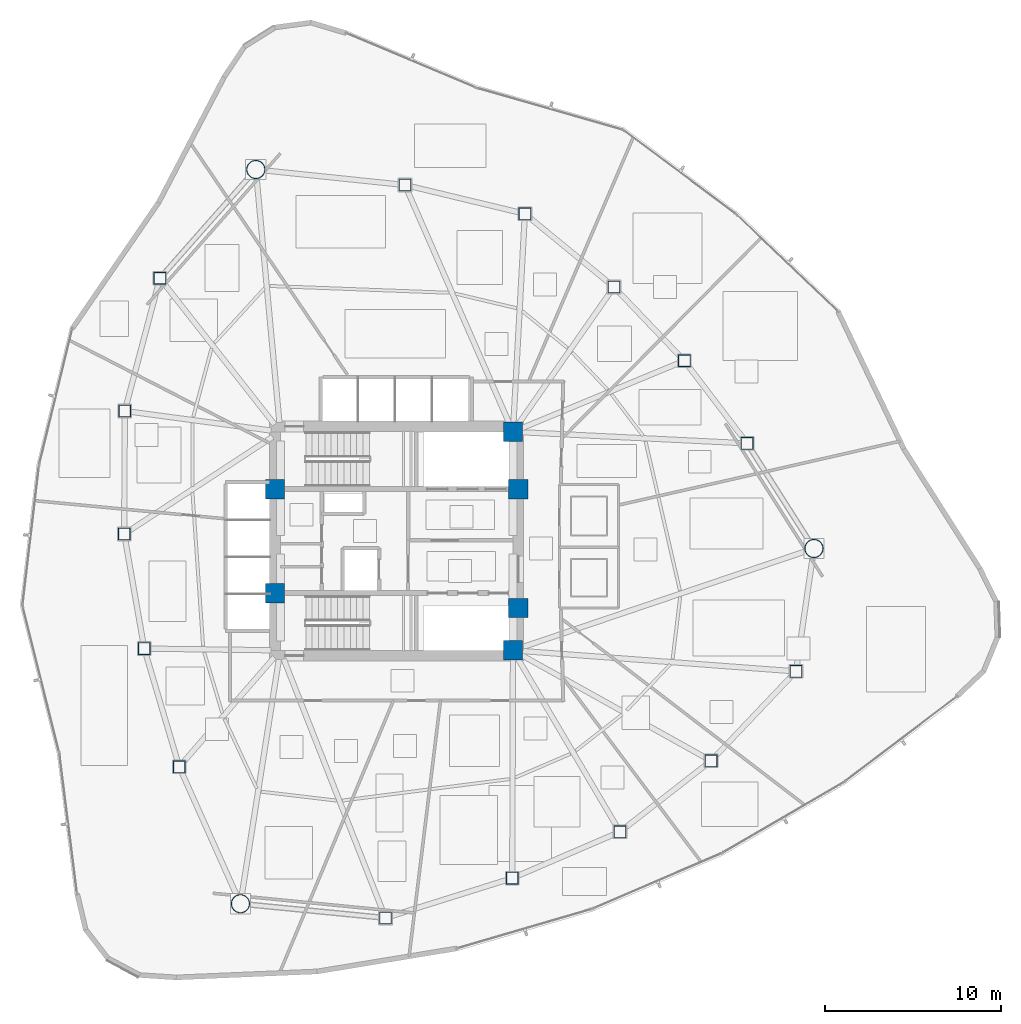
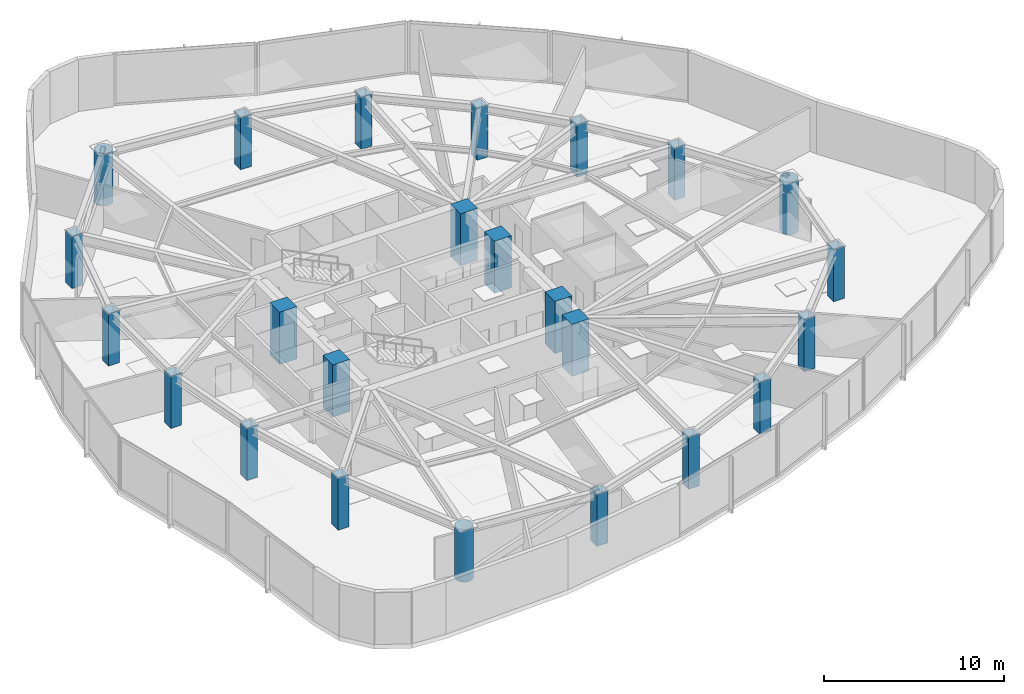
# One storey, part 1 of 17: 24 columns.
"""IFC4 building model written with IfcOpenShell, lengths in metres."""

from ifc_helpers import new_model, si_unit, direction, frame, origin, origin_2d, place, context, subcontext, project, spatial, rectangle, hollow_rectangle, hollow_circle, extrude, material, material_profile, profile_set, type_object, element, save


model = new_model("IFC4")

# Units and contexts
model_context = context("Model", 3, precision=1e-05, world=origin(), true_north=direction((0.0, 1.0)))
body_context = subcontext(model_context, "Body", "Model", "MODEL_VIEW")
ifc_project = project(units=[si_unit("LENGTHUNIT", "METRE"), si_unit("AREAUNIT", "SQUARE_METRE"), si_unit("VOLUMEUNIT", "CUBIC_METRE"), si_unit("PLANEANGLEUNIT", "RADIAN"), si_unit("MASSUNIT", "GRAM", prefix="KILO")], contexts=[model_context])

# Site, building, storey
site_placement = place(None, origin())
site = spatial("IfcSite", under=ifc_project, at=site_placement, CompositionType="ELEMENT")
building_placement = place(site_placement, origin())
building = spatial("IfcBuilding", under=site, at=building_placement, Name="Tavelor Broadcast Tower", CompositionType="ELEMENT")
storey_placement = place(building_placement, frame((0.0, 0.0, 115.60009765625)))
storey = spatial("IfcBuildingStorey", under=building, at=storey_placement, Name="L26", CompositionType="ELEMENT", Elevation=115.60009765625)

# Columns
ifc_material_1 = material(Name="Concrete C60/75", Category="concrete")
ifc_material_profile_1 = material_profile(ifc_material_1, rectangle(XDim=1.10009765625, YDim=1.10009765625, at=origin_2d()), Name="RC 1100x1100")
ifc_profile_set_1 = profile_set([ifc_material_profile_1], Name="Concrete C60/75")
column_type_1 = type_object("IfcColumnType", Name="Core Embedded Composite Column RC1100", PredefinedType="COLUMN", material=ifc_profile_set_1)
for number, where, z_axis, x_axis, name in (
    (1, (43.10009765625, 47.949951171875, 0.0), (0.0, 0.0, 1.0), (1.0, 0.0, 0.0), "L26 Core Embedded Column 1"),
    (2, (56.89990234375, 47.949951171875, 0.0), (0.0, 0.0, 1.0), (1.0, 0.0, 0.0), "L26 Core Embedded Column 2"),
    (3, (56.60009765625, 51.199951171875, 0.0), (0.0, 0.0, 1.0), (1.0, 0.0, 0.0), "L26 Core Embedded Column 3"),
    (4, (43.10009765625, 42.050048828125, 0.0), (0.0, 0.0, 1.0), (1.0, 0.0, 0.0), "L26 Core Embedded Column 4"),
    (5, (56.89990234375, 41.199951171875, 0.0), (0.0, 0.0, 1.0), (1.0, 0.0, 0.0), "L26 Core Embedded Column 5"),
    (6, (56.60009765625, 38.800048828125, 0.0), (0.0, 0.0, 1.0), (1.0, 0.0, 0.0), "L26 Core Embedded Column 6"),
):
    element("IfcColumn", number, at=place(storey_placement, frame(where, z_axis=z_axis, x_axis=x_axis)), inside=storey, type_object=column_type_1, Name=name, PredefinedType="COLUMN", context=body_context, shape_type="SweptSolid", body=[
        extrude(rectangle(XDim=1.10009765625, YDim=1.10009765625, at=origin_2d()), origin(), (0.0, 0.0, 1.0), 3.5498046875),
    ])
ifc_material_2 = material(Name="Steel S460", Category="steel")
ifc_material_profile_2 = material_profile(ifc_material_2, hollow_rectangle(XDim=0.699951171875, YDim=0.699951171875, WallThickness=0.0400390625, at=origin_2d()), Name="SHS 700x700x40")
ifc_profile_set_2 = profile_set([ifc_material_profile_2], Name="Steel S460")
column_type_2 = type_object("IfcColumnType", Name="Perimeter Tube Column T3 SHS 700x700x40", PredefinedType="COLUMN", material=ifc_profile_set_2)
for number, where, z_axis, x_axis, name in (
    (7, (36.567626953125, 59.91064453125, 0.0), (0.0, 0.0, 1.0), (1.0, 0.0, 0.0), "L26 Perimeter Framed-Tube Column 02"),
    (8, (34.5751953125, 52.37939453125, 0.0), (0.0, 0.0, 1.0), (1.0, 0.0, 0.0), "L26 Perimeter Framed-Tube Column 03"),
    (9, (34.54638671875, 45.399169921875, 0.0), (0.0, 0.0, 1.0), (1.0, 0.0, 0.0), "L26 Perimeter Framed-Tube Column 04"),
    (10, (35.680908203125, 38.89990234375, 0.0), (0.0, 0.0, 1.0), (1.0, 0.0, 0.0), "L26 Perimeter Framed-Tube Column 05"),
    (11, (37.668212890625, 32.1904296875, 0.0), (0.0, 0.0, 1.0), (1.0, 0.0, 0.0), "L26 Perimeter Framed-Tube Column 06"),
    (12, (49.366455078125, 23.618896484375, 0.0), (0.0, 0.0, 1.0), (1.0, 0.0, 0.0), "L26 Perimeter Framed-Tube Column 08"),
    (13, (56.56103515625, 25.872802734375, 0.0), (0.0, 0.0, 1.0), (1.0, 0.0, 0.0), "L26 Perimeter Framed-Tube Column 09"),
    (14, (62.669189453125, 28.503173828125, 0.0), (0.0, 0.0, 1.0), (1.0, 0.0, 0.0), "L26 Perimeter Framed-Tube Column 10"),
    (15, (67.84228515625, 32.53173828125, 0.0), (0.0, 0.0, 1.0), (1.0, 0.0, 0.0), "L26 Perimeter Framed-Tube Column 11"),
    (16, (72.6591796875, 37.607421875, 0.0), (0.0, 0.0, 1.0), (1.0, 0.0, 0.0), "L26 Perimeter Framed-Tube Column 12"),
    (17, (69.885986328125, 50.544189453125, 0.0), (0.0, 0.0, 1.0), (1.0, 0.0, 0.0), "L26 Perimeter Framed-Tube Column 14"),
    (18, (66.322021484375, 55.228759765625, 0.0), (0.0, 0.0, 1.0), (1.0, 0.0, 0.0), "L26 Perimeter Framed-Tube Column 15"),
    (19, (62.330810546875, 59.416259765625, 0.0), (0.0, 0.0, 1.0), (1.0, 0.0, 0.0), "L26 Perimeter Framed-Tube Column 16"),
    (20, (57.276611328125, 63.568359375, 0.0), (0.0, 0.0, 1.0), (1.0, 0.0, 0.0), "L26 Perimeter Framed-Tube Column 17"),
    (21, (50.472412109375, 65.2021484375, 0.0), (0.0, 0.0, 1.0), (1.0, 0.0, 0.0), "L26 Perimeter Framed-Tube Column 18"),
):
    element("IfcColumn", number, at=place(storey_placement, frame(where, z_axis=z_axis, x_axis=x_axis)), inside=storey, type_object=column_type_2, Name=name, PredefinedType="COLUMN", context=body_context, shape_type="SweptSolid", body=[
        extrude(hollow_rectangle(XDim=0.699951171875, YDim=0.699951171875, WallThickness=0.0400390625, at=origin_2d()), origin(), (0.0, 0.0, 1.0), 3.5498046875),
    ])
ifc_material_profile_3 = material_profile(ifc_material_2, hollow_circle(Radius=0.533447265625, WallThickness=0.044921875, at=origin_2d()), Name="CHS 1067x45")
ifc_profile_set_3 = profile_set([ifc_material_profile_3], Name="Steel S460")
column_type_3 = type_object("IfcColumnType", Name="Tower Mega Column T3 CHS 1067x45", PredefinedType="COLUMN", material=ifc_profile_set_3)
for number, where, z_axis, x_axis, name in (
    (22, (42.01123046875, 66.080078125, 0.0), (0.0, 0.0, 1.0), (1.0, 0.0, 0.0), "L26 Tower Corner Mega Column 01"),
    (23, (41.138671875, 24.423828125, 0.0), (0.0, 0.0, 1.0), (1.0, 0.0, 0.0), "L26 Tower Corner Mega Column 07"),
    (24, (73.676025390625, 44.57958984375, 0.0), (0.0, 0.0, 1.0), (1.0, 0.0, 0.0), "L26 Tower Corner Mega Column 13"),
):
    element("IfcColumn", number, at=place(storey_placement, frame(where, z_axis=z_axis, x_axis=x_axis)), inside=storey, type_object=column_type_3, Name=name, PredefinedType="COLUMN", context=body_context, shape_type="SweptSolid", body=[
        extrude(hollow_circle(Radius=0.533447265625, WallThickness=0.044921875, at=origin_2d()), origin(), (0.0, 0.0, 1.0), 3.5498046875),
    ])

save(model, "model.ifc")
